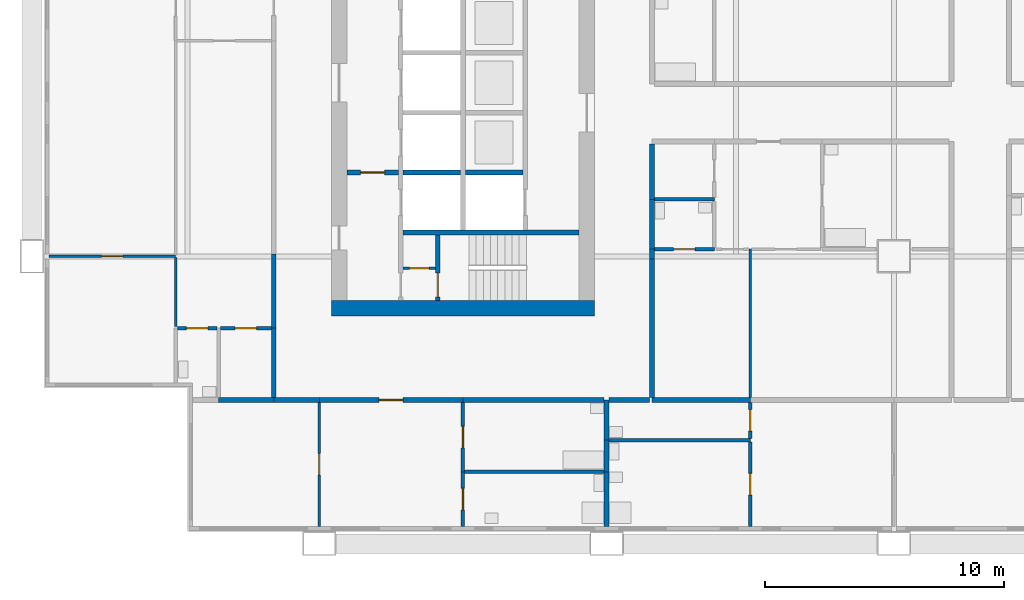
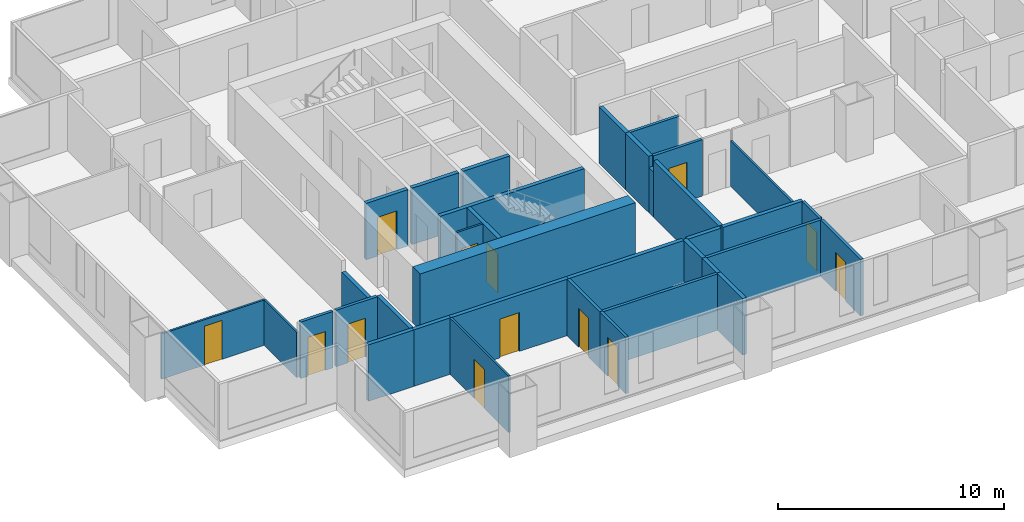
# One storey, part 2 of 13: 36 walls, 13 doors, 13 openings.
"""IFC4 building model written with IfcOpenShell, lengths in metres."""

from ifc_helpers import new_model, si_unit, direction, frame, frame_2d, origin, place, context, subcontext, project, spatial, rectangle, extrude, material, layer, layer_set, type_object, element, fill, save


model = new_model("IFC4")

# Units and contexts
model_context = context("Model", 3, precision=1e-05, world=origin(), true_north=direction((0.0, 1.0)))
body_context = subcontext(model_context, "Body", "Model", "MODEL_VIEW")
ifc_project = project(units=[si_unit("LENGTHUNIT", "METRE"), si_unit("AREAUNIT", "SQUARE_METRE"), si_unit("VOLUMEUNIT", "CUBIC_METRE"), si_unit("PLANEANGLEUNIT", "RADIAN"), si_unit("MASSUNIT", "GRAM", prefix="KILO")], contexts=[model_context])

# Site, building, storey
site_placement = place(None, origin())
site = spatial("IfcSite", under=ifc_project, at=site_placement, CompositionType="ELEMENT")
building_placement = place(site_placement, origin())
building = spatial("IfcBuilding", under=site, at=building_placement, Name="Kitamizu Gate Tower and Museum", CompositionType="ELEMENT")
storey_placement = place(building_placement, frame((0.0, 0.0, 144.89990234375)))
storey = spatial("IfcBuildingStorey", under=building, at=storey_placement, Name="L38", CompositionType="ELEMENT", Elevation=144.89990234375)

# Wall
ifc_material_1 = material(Name="Concrete Fc60", Category="concrete")
ifc_layer_1 = layer(ifc_material_1, 0.64990234375)
ifc_layer_set_1 = layer_set([ifc_layer_1], Name="Concrete Fc60")
wall_type_1 = type_object("IfcWallType", Name="Core wall 650", PredefinedType="SHEAR", material=ifc_layer_set_1)
wall_1_placement = place(storey_placement, frame((12.5, 21.824951171875, 0.0), z_axis=(0.0, 0.0, 1.0), x_axis=(1.0, 0.0, 0.0)))
element("IfcWall", 1, at=wall_1_placement, inside=storey, type_object=wall_type_1, Name="Core wall WS", PredefinedType="SHEAR", context=body_context, shape_type="SweptSolid", body=[
    extrude(rectangle(XDim=11.0, YDim=0.64990234375, at=frame_2d((5.5, 0.0))), origin(), (0.0, 0.0, 1.0), 3.050048828125),
])

# Wall, opening, door
ifc_material_2 = material(Name="Gypsum board on galvanised stud")
ifc_layer_2 = layer(ifc_material_2, 0.10009765625)
ifc_layer_set_2 = layer_set([ifc_layer_2], Name="Gypsum board on galvanised stud")
wall_type_2 = type_object("IfcWallType", Name="Partition 100", PredefinedType="PARTITIONING", material=ifc_layer_set_2)
wall_2_placement = place(storey_placement, frame((15.5, 23.5, 0.0), z_axis=(0.0, 0.0, 1.0), x_axis=(1.0, 0.0, 0.0)))
wall_2 = element("IfcWall", 2, at=wall_2_placement, inside=storey, type_object=wall_type_2, Name="Partition WPZS", PredefinedType="PARTITIONING", context=body_context, shape_type="SweptSolid", body=[
    extrude(rectangle(XDim=1.35009765625, YDim=0.10009765625, at=frame_2d((0.675048828125, 0.0))), origin(), (0.0, 0.0, 1.0), 3.050048828125),
])
opening_1_placement = place(wall_2_placement, frame((0.27490234375, 0.0, 0.0)))
opening_1 = element("IfcOpeningElement", 3, at=opening_1_placement, cuts=wall_2, Name="Opening L38-060", PredefinedType="OPENING", context=body_context, shape_type="SweptSolid", body=[
    extrude(rectangle(XDim=0.800048828125, YDim=2.10009765625, at=frame_2d((0.39990234375, 1.050048828125))), frame((0.0, 0.06005859375, 0.0), z_axis=(0.0, -1.0, 0.0), x_axis=(1.0, 0.0, 0.0)), (0.0, 0.0, 1.0), 0.1201171875),
])
ifc_material_3 = material(Name="Timber door set", Category="wood")
door_type_1 = type_object("IfcDoorType", Name="Cupboard door 800", OperationType="NOTDEFINED", PredefinedType="DOOR", material=ifc_material_3)
door_1_placement = place(opening_1_placement, frame((0.800048828125, 0.0, 0.0), x_axis=(-1.0, 0.0, 0.0)))
door_1 = element("IfcDoor", 4, at=door_1_placement, inside=storey, type_object=door_type_1, Name="Cupboard door L38-060", OperationType="SINGLE_SWING_LEFT", OverallHeight=2.10009765625, OverallWidth=0.800048828125, PredefinedType="DOOR", context=body_context, shape_type="SweptSolid", body=[
    extrude(rectangle(XDim=0.800048828125, YDim=2.10009765625, at=frame_2d((0.39990234375, 1.050048828125))), frame((0.0, 0.02490234375, 0.0), z_axis=(0.0, -1.0, 0.0), x_axis=(1.0, 0.0, 0.0)), (0.0, 0.0, 1.0), 0.050048828125),
])
fill(opening_1, door_1)

ifc_material_4 = material(Name="Gypsum board on galvanised stud")
ifc_layer_3 = layer(ifc_material_4, 0.10009765625)
ifc_layer_set_3 = layer_set([ifc_layer_3], Name="Gypsum board on galvanised stud")
wall_type_3 = type_object("IfcWallType", Name="Partition 100 NOT RATED", PredefinedType="PARTITIONING", material=ifc_layer_set_3)
wall_3_placement = place(storey_placement, frame((12.0, 12.719970703125, 0.0), z_axis=(0.0, 0.0, 1.0), x_axis=(0.0, 1.0, 0.0)))
wall_3 = element("IfcWall", 5, at=wall_3_placement, inside=storey, type_object=wall_type_3, Name="Partition L38-001", PredefinedType="PARTITIONING", context=body_context, shape_type="SweptSolid", body=[
    extrude(rectangle(XDim=5.179931640625, YDim=0.10009765625, at=frame_2d((2.58984375, 0.0))), origin(), (0.0, 0.0, 1.0), 3.050048828125),
])
opening_2_placement = place(wall_3_placement, frame((2.139892578125, 0.0, 0.0)))
opening_2 = element("IfcOpeningElement", 6, at=opening_2_placement, cuts=wall_3, Name="Opening L38-002", PredefinedType="OPENING", context=body_context, shape_type="SweptSolid", body=[
    extrude(rectangle(XDim=0.89990234375, YDim=2.10009765625, at=frame_2d((0.449951171875, 1.050048828125))), frame((0.0, 0.06005859375, 0.0), z_axis=(0.0, -1.0, 0.0), x_axis=(1.0, 0.0, 0.0)), (0.0, 0.0, 1.0), 0.1201171875),
])
ifc_material_5 = material(Name="Timber door set", Category="wood")
door_type_2 = type_object("IfcDoorType", Name="Room door 900", OperationType="NOTDEFINED", PredefinedType="DOOR", material=ifc_material_5)
door_2_placement = place(opening_2_placement, origin())
door_2 = element("IfcDoor", 7, at=door_2_placement, inside=storey, type_object=door_type_2, Name="Door L38-002", OperationType="SINGLE_SWING_LEFT", OverallHeight=2.10009765625, OverallWidth=0.89990234375, PredefinedType="DOOR", context=body_context, shape_type="SweptSolid", body=[
    extrude(rectangle(XDim=0.89990234375, YDim=2.10009765625, at=frame_2d((0.449951171875, 1.050048828125))), frame((0.0, 0.02490234375, 0.0), z_axis=(0.0, -1.0, 0.0), x_axis=(1.0, 0.0, 0.0)), (0.0, 0.0, 1.0), 0.050048828125),
])
fill(opening_2, door_2)

wall_4_placement = place(storey_placement, frame((6.0, 24.0, 0.0), z_axis=(0.0, 0.0, 1.0), x_axis=(-1.0, 0.0, 0.0)))
wall_4 = element("IfcWall", 8, at=wall_4_placement, inside=storey, type_object=wall_type_3, Name="Partition L38-013", PredefinedType="PARTITIONING", context=body_context, shape_type="SweptSolid", body=[
    extrude(rectangle(XDim=5.280029296875, YDim=0.10009765625, at=frame_2d((2.64013671875, 0.0))), origin(), (0.0, 0.0, 1.0), 2.4501953125),
])
opening_3_placement = place(wall_4_placement, frame((2.18994140625, 0.0, 0.0)))
opening_3 = element("IfcOpeningElement", 9, at=opening_3_placement, cuts=wall_4, Name="Opening L38-009", PredefinedType="OPENING", context=body_context, shape_type="SweptSolid", body=[
    extrude(rectangle(XDim=0.89990234375, YDim=2.10009765625, at=frame_2d((0.449951171875, 1.050048828125))), frame((0.0, 0.06005859375, 0.0), z_axis=(0.0, -1.0, 0.0), x_axis=(1.0, 0.0, 0.0)), (0.0, 0.0, 1.0), 0.1201171875),
])
door_3_placement = place(opening_3_placement, origin())
door_3 = element("IfcDoor", 10, at=door_3_placement, inside=storey, type_object=door_type_2, Name="Door L38-009", OperationType="SINGLE_SWING_LEFT", OverallHeight=2.10009765625, OverallWidth=0.89990234375, PredefinedType="DOOR", context=body_context, shape_type="SweptSolid", body=[
    extrude(rectangle(XDim=0.89990234375, YDim=2.10009765625, at=frame_2d((0.449951171875, 1.050048828125))), frame((0.0, 0.02490234375, 0.0), z_axis=(0.0, -1.0, 0.0), x_axis=(1.0, 0.0, 0.0)), (0.0, 0.0, 1.0), 0.050048828125),
])
fill(opening_3, door_3)

# Walls
wall_5_placement = place(storey_placement, frame((6.0, 21.074951171875, 0.0), z_axis=(0.0, 0.0, 1.0), x_axis=(0.0, 1.0, 0.0)))
element("IfcWall", 11, at=wall_5_placement, inside=storey, type_object=wall_type_3, Name="Partition L38-015", PredefinedType="PARTITIONING", context=body_context, shape_type="SweptSolid", body=[
    extrude(rectangle(XDim=2.875, YDim=0.10009765625, at=frame_2d((1.4375, 0.0))), origin(), (0.0, 0.0, 1.0), 2.4501953125),
])
wall_6_placement = place(storey_placement, frame((30.0, 18.10009765625, 0.0), z_axis=(0.0, 0.0, 1.0), x_axis=(0.0, 1.0, 0.0)))
element("IfcWall", 12, at=wall_6_placement, inside=storey, type_object=wall_type_3, Name="Partition L38-033", PredefinedType="PARTITIONING", context=body_context, shape_type="SweptSolid", body=[
    extrude(rectangle(XDim=6.199951171875, YDim=0.10009765625, at=frame_2d((3.10009765625, 0.0))), origin(), (0.0, 0.0, 1.0), 2.4501953125),
])

# Wall, opening, door
ifc_material_6 = material(Name="Gypsum board on galvanised stud")
ifc_layer_4 = layer(ifc_material_6, 0.14990234375)
ifc_layer_set_4 = layer_set([ifc_layer_4], Name="Gypsum board on galvanised stud")
wall_type_4 = type_object("IfcWallType", Name="Partition 150", PredefinedType="PARTITIONING", material=ifc_layer_set_4)
wall_7_placement = place(storey_placement, frame((18.0, 12.719970703125, 0.0), z_axis=(0.0, 0.0, 1.0), x_axis=(0.0, 1.0, 0.0)))
wall_7 = element("IfcWall", 13, at=wall_7_placement, inside=storey, type_object=wall_type_4, Name="Partition L38-005", PredefinedType="PARTITIONING", context=body_context, shape_type="SweptSolid", body=[
    extrude(rectangle(XDim=2.280029296875, YDim=0.14990234375, at=frame_2d((1.14013671875, 0.0))), origin(), (0.0, 0.0, 1.0), 3.050048828125),
])
opening_4_placement = place(wall_7_placement, frame((0.68994140625, 0.0, 0.0)))
opening_4 = element("IfcOpeningElement", 14, at=opening_4_placement, cuts=wall_7, Name="Opening L38-003", PredefinedType="OPENING", context=body_context, shape_type="SweptSolid", body=[
    extrude(rectangle(XDim=0.89990234375, YDim=2.10009765625, at=frame_2d((0.449951171875, 1.050048828125))), frame((0.0, 0.0849609375, 0.0), z_axis=(0.0, -1.0, 0.0), x_axis=(1.0, 0.0, 0.0)), (0.0, 0.0, 1.0), 0.169921875),
])
ifc_material_7 = material(Name="Timber door set", Category="wood")
door_type_3 = type_object("IfcDoorType", Name="Bathroom door 900", OperationType="NOTDEFINED", PredefinedType="DOOR", material=ifc_material_7)
door_4_placement = place(opening_4_placement, frame((0.89990234375, 0.0, 0.0), x_axis=(-1.0, 0.0, 0.0)))
door_4 = element("IfcDoor", 15, at=door_4_placement, inside=storey, type_object=door_type_3, Name="Bathroom door L38-003", OperationType="SINGLE_SWING_LEFT", OverallHeight=2.10009765625, OverallWidth=0.89990234375, PredefinedType="DOOR", context=body_context, shape_type="SweptSolid", body=[
    extrude(rectangle(XDim=0.89990234375, YDim=2.10009765625, at=frame_2d((0.449951171875, 1.050048828125))), frame((0.0, 0.02490234375, 0.0), z_axis=(0.0, -1.0, 0.0), x_axis=(1.0, 0.0, 0.0)), (0.0, 0.0, 1.0), 0.050048828125),
])
fill(opening_4, door_4)

wall_8_placement = place(storey_placement, frame((18.0, 15.0, 0.0), z_axis=(0.0, 0.0, 1.0), x_axis=(0.0, 1.0, 0.0)))
wall_8 = element("IfcWall", 16, at=wall_8_placement, inside=storey, type_object=wall_type_4, Name="Partition L38-006", PredefinedType="PARTITIONING", context=body_context, shape_type="SweptSolid", body=[
    extrude(rectangle(XDim=2.89990234375, YDim=0.14990234375, at=frame_2d((1.449951171875, 0.0))), origin(), (0.0, 0.0, 1.0), 3.050048828125),
])
opening_5_placement = place(wall_8_placement, frame((1.0, 0.0, 0.0)))
opening_5 = element("IfcOpeningElement", 17, at=opening_5_placement, cuts=wall_8, Name="Opening L38-004", PredefinedType="OPENING", context=body_context, shape_type="SweptSolid", body=[
    extrude(rectangle(XDim=0.89990234375, YDim=2.10009765625, at=frame_2d((0.449951171875, 1.050048828125))), frame((0.0, 0.0849609375, 0.0), z_axis=(0.0, -1.0, 0.0), x_axis=(1.0, 0.0, 0.0)), (0.0, 0.0, 1.0), 0.169921875),
])
door_5_placement = place(opening_5_placement, frame((0.89990234375, 0.0, 0.0), x_axis=(-1.0, 0.0, 0.0)))
door_5 = element("IfcDoor", 18, at=door_5_placement, inside=storey, type_object=door_type_3, Name="Bathroom door L38-004", OperationType="SINGLE_SWING_RIGHT", OverallHeight=2.10009765625, OverallWidth=0.89990234375, PredefinedType="DOOR", context=body_context, shape_type="SweptSolid", body=[
    extrude(rectangle(XDim=0.89990234375, YDim=2.10009765625, at=frame_2d((0.449951171875, 1.050048828125))), frame((0.0, 0.02490234375, 0.0), z_axis=(0.0, -1.0, 0.0), x_axis=(1.0, 0.0, 0.0)), (0.0, 0.0, 1.0), 0.050048828125),
])
fill(opening_5, door_5)

# Wall
wall_9_placement = place(storey_placement, frame((23.89990234375, 15.0, 0.0), z_axis=(0.0, 0.0, 1.0), x_axis=(-1.0, 0.0, 0.0)))
element("IfcWall", 19, at=wall_9_placement, inside=storey, type_object=wall_type_4, Name="Partition L38-008", PredefinedType="PARTITIONING", context=body_context, shape_type="SweptSolid", body=[
    extrude(rectangle(XDim=5.824951171875, YDim=0.14990234375, at=frame_2d((2.91259765625, 0.0))), origin(), (0.0, 0.0, 1.0), 3.050048828125),
])

# Wall, opening, door
wall_10_placement = place(storey_placement, frame((7.72509765625, 21.0, 0.0), z_axis=(0.0, 0.0, 1.0), x_axis=(-1.0, 0.0, 0.0)))
wall_10 = element("IfcWall", 20, at=wall_10_placement, inside=storey, type_object=wall_type_4, Name="Partition L38-022", PredefinedType="PARTITIONING", context=body_context, shape_type="SweptSolid", body=[
    extrude(rectangle(XDim=1.650146484375, YDim=0.14990234375, at=frame_2d((0.8251953125, 0.0))), origin(), (0.0, 0.0, 1.0), 3.050048828125),
])
opening_6_placement = place(wall_10_placement, frame((0.375, 0.0, 0.0)))
opening_6 = element("IfcOpeningElement", 21, at=opening_6_placement, cuts=wall_10, Name="Opening L38-010", PredefinedType="OPENING", context=body_context, shape_type="SweptSolid", body=[
    extrude(rectangle(XDim=0.89990234375, YDim=2.10009765625, at=frame_2d((0.449951171875, 1.050048828125))), frame((0.0, 0.0849609375, 0.0), z_axis=(0.0, -1.0, 0.0), x_axis=(1.0, 0.0, 0.0)), (0.0, 0.0, 1.0), 0.169921875),
])
door_6_placement = place(opening_6_placement, origin())
door_6 = element("IfcDoor", 22, at=door_6_placement, inside=storey, type_object=door_type_3, Name="Bathroom door L38-010", OperationType="SINGLE_SWING_RIGHT", OverallHeight=2.10009765625, OverallWidth=0.89990234375, PredefinedType="DOOR", context=body_context, shape_type="SweptSolid", body=[
    extrude(rectangle(XDim=0.89990234375, YDim=2.10009765625, at=frame_2d((0.449951171875, 1.050048828125))), frame((0.0, 0.02490234375, 0.0), z_axis=(0.0, -1.0, 0.0), x_axis=(1.0, 0.0, 0.0)), (0.0, 0.0, 1.0), 0.050048828125),
])
fill(opening_6, door_6)

wall_11_placement = place(storey_placement, frame((10.0, 21.0, 0.0), z_axis=(0.0, 0.0, 1.0), x_axis=(-1.0, 0.0, 0.0)))
wall_11 = element("IfcWall", 23, at=wall_11_placement, inside=storey, type_object=wall_type_4, Name="Partition L38-023", PredefinedType="PARTITIONING", context=body_context, shape_type="SweptSolid", body=[
    extrude(rectangle(XDim=2.125, YDim=0.14990234375, at=frame_2d((1.0625, 0.0))), origin(), (0.0, 0.0, 1.0), 3.050048828125),
])
opening_7_placement = place(wall_11_placement, frame((0.612548828125, 0.0, 0.0)))
opening_7 = element("IfcOpeningElement", 24, at=opening_7_placement, cuts=wall_11, Name="Opening L38-011", PredefinedType="OPENING", context=body_context, shape_type="SweptSolid", body=[
    extrude(rectangle(XDim=0.89990234375, YDim=2.10009765625, at=frame_2d((0.449951171875, 1.050048828125))), frame((0.0, 0.0849609375, 0.0), z_axis=(0.0, -1.0, 0.0), x_axis=(1.0, 0.0, 0.0)), (0.0, 0.0, 1.0), 0.169921875),
])
door_7_placement = place(opening_7_placement, origin())
door_7 = element("IfcDoor", 25, at=door_7_placement, inside=storey, type_object=door_type_3, Name="Bathroom door L38-011", OperationType="SINGLE_SWING_LEFT", OverallHeight=2.10009765625, OverallWidth=0.89990234375, PredefinedType="DOOR", context=body_context, shape_type="SweptSolid", body=[
    extrude(rectangle(XDim=0.89990234375, YDim=2.10009765625, at=frame_2d((0.449951171875, 1.050048828125))), frame((0.0, 0.02490234375, 0.0), z_axis=(0.0, -1.0, 0.0), x_axis=(1.0, 0.0, 0.0)), (0.0, 0.0, 1.0), 0.050048828125),
])
fill(opening_7, door_7)

wall_12_placement = place(storey_placement, frame((28.5, 24.300048828125, 0.0), z_axis=(0.0, 0.0, 1.0), x_axis=(-1.0, 0.0, 0.0)))
wall_12 = element("IfcWall", 26, at=wall_12_placement, inside=storey, type_object=wall_type_4, Name="Partition L38-034", PredefinedType="PARTITIONING", context=body_context, shape_type="SweptSolid", body=[
    extrude(rectangle(XDim=2.5, YDim=0.14990234375, at=frame_2d((1.25, 0.0))), origin(), (0.0, 0.0, 1.0), 3.050048828125),
])
opening_8_placement = place(wall_12_placement, frame((0.800048828125, 0.0, 0.0)))
opening_8 = element("IfcOpeningElement", 27, at=opening_8_placement, cuts=wall_12, Name="Opening L38-016", PredefinedType="OPENING", context=body_context, shape_type="SweptSolid", body=[
    extrude(rectangle(XDim=0.89990234375, YDim=2.10009765625, at=frame_2d((0.449951171875, 1.050048828125))), frame((0.0, 0.0849609375, 0.0), z_axis=(0.0, -1.0, 0.0), x_axis=(1.0, 0.0, 0.0)), (0.0, 0.0, 1.0), 0.169921875),
])
door_8_placement = place(opening_8_placement, frame((0.89990234375, 0.0, 0.0), x_axis=(-1.0, 0.0, 0.0)))
door_8 = element("IfcDoor", 28, at=door_8_placement, inside=storey, type_object=door_type_3, Name="Bathroom door L38-016", OperationType="SINGLE_SWING_LEFT", OverallHeight=2.10009765625, OverallWidth=0.89990234375, PredefinedType="DOOR", context=body_context, shape_type="SweptSolid", body=[
    extrude(rectangle(XDim=0.89990234375, YDim=2.10009765625, at=frame_2d((0.449951171875, 1.050048828125))), frame((0.0, 0.02490234375, 0.0), z_axis=(0.0, -1.0, 0.0), x_axis=(1.0, 0.0, 0.0)), (0.0, 0.0, 1.0), 0.050048828125),
])
fill(opening_8, door_8)

# Walls
wall_13_placement = place(storey_placement, frame((28.5, 26.376953125, 0.0), z_axis=(0.0, 0.0, 1.0), x_axis=(-1.0, 0.0, 0.0)))
element("IfcWall", 29, at=wall_13_placement, inside=storey, type_object=wall_type_4, Name="Partition L38-045", PredefinedType="PARTITIONING", context=body_context, shape_type="SweptSolid", body=[
    extrude(rectangle(XDim=2.5, YDim=0.14990234375, at=frame_2d((1.25, 0.0))), origin(), (0.0, 0.0, 1.0), 3.050048828125),
])
wall_14_placement = place(storey_placement, frame((30.0, 16.320068359375, 0.0), z_axis=(0.0, 0.0, 1.0), x_axis=(-1.0, 0.0, 0.0)))
element("IfcWall", 30, at=wall_14_placement, inside=storey, type_object=wall_type_4, Name="Partition L38-056", PredefinedType="PARTITIONING", context=body_context, shape_type="SweptSolid", body=[
    extrude(rectangle(XDim=5.89990234375, YDim=0.14990234375, at=frame_2d((2.949951171875, 0.0))), origin(), (0.0, 0.0, 1.0), 3.050048828125),
])

# Wall, opening, door
wall_15_placement = place(storey_placement, frame((30.0, 12.719970703125, 0.0), z_axis=(0.0, 0.0, 1.0), x_axis=(0.0, 1.0, 0.0)))
wall_15 = element("IfcWall", 31, at=wall_15_placement, inside=storey, type_object=wall_type_4, Name="Partition L38-057", PredefinedType="PARTITIONING", context=body_context, shape_type="SweptSolid", body=[
    extrude(rectangle(XDim=3.525146484375, YDim=0.14990234375, at=frame_2d((1.7626953125, 0.0))), origin(), (0.0, 0.0, 1.0), 3.050048828125),
])
opening_9_placement = place(wall_15_placement, frame((1.3125, 0.0, 0.0)))
opening_9 = element("IfcOpeningElement", 32, at=opening_9_placement, cuts=wall_15, Name="Opening L38-022", PredefinedType="OPENING", context=body_context, shape_type="SweptSolid", body=[
    extrude(rectangle(XDim=0.89990234375, YDim=2.10009765625, at=frame_2d((0.449951171875, 1.050048828125))), frame((0.0, 0.0849609375, 0.0), z_axis=(0.0, -1.0, 0.0), x_axis=(1.0, 0.0, 0.0)), (0.0, 0.0, 1.0), 0.169921875),
])
door_9_placement = place(opening_9_placement, origin())
door_9 = element("IfcDoor", 33, at=door_9_placement, inside=storey, type_object=door_type_3, Name="Bathroom door L38-022", OperationType="SINGLE_SWING_RIGHT", OverallHeight=2.10009765625, OverallWidth=0.89990234375, PredefinedType="DOOR", context=body_context, shape_type="SweptSolid", body=[
    extrude(rectangle(XDim=0.89990234375, YDim=2.10009765625, at=frame_2d((0.449951171875, 1.050048828125))), frame((0.0, 0.02490234375, 0.0), z_axis=(0.0, -1.0, 0.0), x_axis=(1.0, 0.0, 0.0)), (0.0, 0.0, 1.0), 0.050048828125),
])
fill(opening_9, door_9)

wall_16_placement = place(storey_placement, frame((30.0, 16.39501953125, 0.0), z_axis=(0.0, 0.0, 1.0), x_axis=(0.0, 1.0, 0.0)))
wall_16 = element("IfcWall", 34, at=wall_16_placement, inside=storey, type_object=wall_type_4, Name="Partition L38-058", PredefinedType="PARTITIONING", context=body_context, shape_type="SweptSolid", body=[
    extrude(rectangle(XDim=1.5048828125, YDim=0.14990234375, at=frame_2d((0.75244140625, 0.0))), origin(), (0.0, 0.0, 1.0), 3.050048828125),
])
opening_10_placement = place(wall_16_placement, frame((0.302490234375, 0.0, 0.0)))
opening_10 = element("IfcOpeningElement", 35, at=opening_10_placement, cuts=wall_16, Name="Opening L38-023", PredefinedType="OPENING", context=body_context, shape_type="SweptSolid", body=[
    extrude(rectangle(XDim=0.89990234375, YDim=2.10009765625, at=frame_2d((0.449951171875, 1.050048828125))), frame((0.0, 0.0849609375, 0.0), z_axis=(0.0, -1.0, 0.0), x_axis=(1.0, 0.0, 0.0)), (0.0, 0.0, 1.0), 0.169921875),
])
door_10_placement = place(opening_10_placement, origin())
door_10 = element("IfcDoor", 36, at=door_10_placement, inside=storey, type_object=door_type_3, Name="Bathroom door L38-023", OperationType="SINGLE_SWING_LEFT", OverallHeight=2.10009765625, OverallWidth=0.89990234375, PredefinedType="DOOR", context=body_context, shape_type="SweptSolid", body=[
    extrude(rectangle(XDim=0.89990234375, YDim=2.10009765625, at=frame_2d((0.449951171875, 1.050048828125))), frame((0.0, 0.02490234375, 0.0), z_axis=(0.0, -1.0, 0.0), x_axis=(1.0, 0.0, 0.0)), (0.0, 0.0, 1.0), 0.050048828125),
])
fill(opening_10, door_10)

# Walls
ifc_material_8 = material(Name="Gypsum board on galvanised stud")
ifc_layer_5 = layer(ifc_material_8, 0.199951171875)
ifc_layer_set_5 = layer_set([ifc_layer_5], Name="Gypsum board on galvanised stud")
wall_type_5 = type_object("IfcWallType", Name="Partition 200", PredefinedType="PARTITIONING", material=ifc_layer_set_5)
wall_17_placement = place(storey_placement, frame((10.10009765625, 18.0, 0.0), z_axis=(0.0, 0.0, 1.0), x_axis=(-1.0, 0.0, 0.0)))
element("IfcWall", 37, at=wall_17_placement, inside=storey, type_object=wall_type_5, Name="Partition L38-003", PredefinedType="PARTITIONING", context=body_context, shape_type="SweptSolid", body=[
    extrude(rectangle(XDim=2.300048828125, YDim=0.199951171875, at=frame_2d((1.14990234375, 0.0))), origin(), (0.0, 0.0, 1.0), 3.050048828125),
])
wall_18_placement = place(storey_placement, frame((12.0, 18.0, 0.0), z_axis=(0.0, 0.0, 1.0), x_axis=(-1.0, 0.0, 0.0)))
element("IfcWall", 38, at=wall_18_placement, inside=storey, type_object=wall_type_5, Name="Partition L38-004", PredefinedType="PARTITIONING", context=body_context, shape_type="SweptSolid", body=[
    extrude(rectangle(XDim=1.89990234375, YDim=0.199951171875, at=frame_2d((0.949951171875, 0.0))), origin(), (0.0, 0.0, 1.0), 3.050048828125),
])

# Wall, opening, door
wall_19_placement = place(storey_placement, frame((18.0, 18.0, 0.0), z_axis=(0.0, 0.0, 1.0), x_axis=(-1.0, 0.0, 0.0)))
wall_19 = element("IfcWall", 39, at=wall_19_placement, inside=storey, type_object=wall_type_5, Name="Partition L38-007", PredefinedType="PARTITIONING", context=body_context, shape_type="SweptSolid", body=[
    extrude(rectangle(XDim=6.0, YDim=0.199951171875, at=frame_2d((3.0, 0.0))), origin(), (0.0, 0.0, 1.0), 3.050048828125),
])
opening_11_placement = place(wall_19_placement, frame((2.5, 0.0, 0.0)))
opening_11 = element("IfcOpeningElement", 40, at=opening_11_placement, cuts=wall_19, Name="Opening L38-001", PredefinedType="OPENING", context=body_context, shape_type="SweptSolid", body=[
    extrude(rectangle(XDim=1.0, YDim=2.10009765625, at=frame_2d((0.5, 1.050048828125))), frame((0.0, 0.10986328125, 0.0), z_axis=(0.0, -1.0, 0.0), x_axis=(1.0, 0.0, 0.0)), (0.0, 0.0, 1.0), 0.219970703125),
])
ifc_material_9 = material(Name="Timber door set", Category="wood")
door_type_4 = type_object("IfcDoorType", Name="Flat entrance door 1000", OperationType="NOTDEFINED", PredefinedType="DOOR", material=ifc_material_9)
door_11_placement = place(opening_11_placement, origin())
door_11 = element("IfcDoor", 41, at=door_11_placement, inside=storey, type_object=door_type_4, Name="Flat entrance door L38-001", OperationType="SINGLE_SWING_RIGHT", OverallHeight=2.10009765625, OverallWidth=1.0, PredefinedType="DOOR", context=body_context, shape_type="SweptSolid", body=[
    extrude(rectangle(XDim=1.0, YDim=2.10009765625, at=frame_2d((0.5, 1.050048828125))), frame((0.0, 0.02490234375, 0.0), z_axis=(0.0, -1.0, 0.0), x_axis=(1.0, 0.0, 0.0)), (0.0, 0.0, 1.0), 0.050048828125),
])
fill(opening_11, door_11)

# Walls
wall_20_placement = place(storey_placement, frame((24.0, 12.719970703125, 0.0), z_axis=(0.0, 0.0, 1.0), x_axis=(0.0, 1.0, 0.0)))
element("IfcWall", 42, at=wall_20_placement, inside=storey, type_object=wall_type_5, Name="Partition L38-009", PredefinedType="PARTITIONING", context=body_context, shape_type="SweptSolid", body=[
    extrude(rectangle(XDim=2.280029296875, YDim=0.199951171875, at=frame_2d((1.14013671875, 0.0))), origin(), (0.0, 0.0, 1.0), 3.050048828125),
])
wall_21_placement = place(storey_placement, frame((24.0, 15.0, 0.0), z_axis=(0.0, 0.0, 1.0), x_axis=(0.0, 1.0, 0.0)))
element("IfcWall", 43, at=wall_21_placement, inside=storey, type_object=wall_type_5, Name="Partition L38-010", PredefinedType="PARTITIONING", context=body_context, shape_type="SweptSolid", body=[
    extrude(rectangle(XDim=1.320068359375, YDim=0.199951171875, at=frame_2d((0.66015625, 0.0))), origin(), (0.0, 0.0, 1.0), 3.050048828125),
])
wall_22_placement = place(storey_placement, frame((24.0, 16.320068359375, 0.0), z_axis=(0.0, 0.0, 1.0), x_axis=(0.0, 1.0, 0.0)))
element("IfcWall", 44, at=wall_22_placement, inside=storey, type_object=wall_type_5, Name="Partition L38-011", PredefinedType="PARTITIONING", context=body_context, shape_type="SweptSolid", body=[
    extrude(rectangle(XDim=1.679931640625, YDim=0.199951171875, at=frame_2d((0.83984375, 0.0))), origin(), (0.0, 0.0, 1.0), 3.050048828125),
])
wall_23_placement = place(storey_placement, frame((23.89990234375, 18.0, 0.0), z_axis=(0.0, 0.0, 1.0), x_axis=(-1.0, 0.0, 0.0)))
element("IfcWall", 45, at=wall_23_placement, inside=storey, type_object=wall_type_5, Name="Partition L38-012", PredefinedType="PARTITIONING", context=body_context, shape_type="SweptSolid", body=[
    extrude(rectangle(XDim=5.89990234375, YDim=0.199951171875, at=frame_2d((2.949951171875, 0.0))), origin(), (0.0, 0.0, 1.0), 3.050048828125),
])
wall_24_placement = place(storey_placement, frame((10.10009765625, 18.10009765625, 0.0), z_axis=(0.0, 0.0, 1.0), x_axis=(0.0, 1.0, 0.0)))
element("IfcWall", 46, at=wall_24_placement, inside=storey, type_object=wall_type_5, Name="Partition L38-024", PredefinedType="PARTITIONING", context=body_context, shape_type="SweptSolid", body=[
    extrude(rectangle(XDim=2.89990234375, YDim=0.199951171875, at=frame_2d((1.449951171875, 0.0))), origin(), (0.0, 0.0, 1.0), 3.050048828125),
])
wall_25_placement = place(storey_placement, frame((10.10009765625, 21.0, 0.0), z_axis=(0.0, 0.0, 1.0), x_axis=(0.0, 1.0, 0.0)))
element("IfcWall", 47, at=wall_25_placement, inside=storey, type_object=wall_type_5, Name="Partition L38-026", PredefinedType="PARTITIONING", context=body_context, shape_type="SweptSolid", body=[
    extrude(rectangle(XDim=3.10009765625, YDim=0.199951171875, at=frame_2d((1.550048828125, 0.0))), origin(), (0.0, 0.0, 1.0), 2.4501953125),
])
wall_26_placement = place(storey_placement, frame((25.89990234375, 18.0, 0.0), z_axis=(0.0, 0.0, 1.0), x_axis=(1.0, 0.0, 0.0)))
element("IfcWall", 48, at=wall_26_placement, inside=storey, type_object=wall_type_5, Name="Partition L38-036", PredefinedType="PARTITIONING", context=body_context, shape_type="SweptSolid", body=[
    extrude(rectangle(XDim=4.10009765625, YDim=0.199951171875, at=frame_2d((2.050048828125, 0.0))), origin(), (0.0, 0.0, 1.0), 3.050048828125),
])
wall_27_placement = place(storey_placement, frame((25.89990234375, 24.300048828125, 0.0), z_axis=(0.0, 0.0, 1.0), x_axis=(0.0, -1.0, 0.0)))
element("IfcWall", 49, at=wall_27_placement, inside=storey, type_object=wall_type_5, Name="Partition L38-037", PredefinedType="PARTITIONING", context=body_context, shape_type="SweptSolid", body=[
    extrude(rectangle(XDim=0.400146484375, YDim=0.199951171875, at=frame_2d((0.2001953125, 0.0))), origin(), (0.0, 0.0, 1.0), 2.4501953125),
])
wall_28_placement = place(storey_placement, frame((25.89990234375, 23.89990234375, 0.0), z_axis=(0.0, 0.0, 1.0), x_axis=(0.0, -1.0, 0.0)))
element("IfcWall", 50, at=wall_28_placement, inside=storey, type_object=wall_type_5, Name="Partition L38-038", PredefinedType="PARTITIONING", context=body_context, shape_type="SweptSolid", body=[
    extrude(rectangle(XDim=5.7998046875, YDim=0.199951171875, at=frame_2d((2.89990234375, 0.0))), origin(), (0.0, 0.0, 1.0), 3.050048828125),
])
wall_29_placement = place(storey_placement, frame((25.89990234375, 26.376953125, 0.0), z_axis=(0.0, 0.0, 1.0), x_axis=(0.0, -1.0, 0.0)))
element("IfcWall", 51, at=wall_29_placement, inside=storey, type_object=wall_type_5, Name="Partition L38-047", PredefinedType="PARTITIONING", context=body_context, shape_type="SweptSolid", body=[
    extrude(rectangle(XDim=2.076904296875, YDim=0.199951171875, at=frame_2d((1.03857421875, 0.0))), origin(), (0.0, 0.0, 1.0), 3.050048828125),
])
wall_30_placement = place(storey_placement, frame((25.89990234375, 28.699951171875, 0.0), z_axis=(0.0, 0.0, 1.0), x_axis=(0.0, -1.0, 0.0)))
element("IfcWall", 52, at=wall_30_placement, inside=storey, type_object=wall_type_5, Name="Partition L38-050", PredefinedType="PARTITIONING", context=body_context, shape_type="SweptSolid", body=[
    extrude(rectangle(XDim=2.322998046875, YDim=0.199951171875, at=frame_2d((1.16162109375, 0.0))), origin(), (0.0, 0.0, 1.0), 3.050048828125),
])
wall_31_placement = place(storey_placement, frame((25.800048828125, 18.0, 0.0), z_axis=(0.0, 0.0, 1.0), x_axis=(-1.0, 0.0, 0.0)))
element("IfcWall", 53, at=wall_31_placement, inside=storey, type_object=wall_type_5, Name="Partition L38-059", PredefinedType="PARTITIONING", context=body_context, shape_type="SweptSolid", body=[
    extrude(rectangle(XDim=1.699951171875, YDim=0.199951171875, at=frame_2d((0.85009765625, 0.0))), origin(), (0.0, 0.0, 1.0), 3.050048828125),
])
ifc_material_10 = material(Name="Concrete Fc42", Category="concrete")
ifc_layer_6 = layer(ifc_material_10, 0.199951171875)
ifc_layer_set_6 = layer_set([ifc_layer_6], Name="Concrete Fc42")
wall_type_6 = type_object("IfcWallType", Name="Shaft wall 200", PredefinedType="SOLIDWALL", material=ifc_layer_set_6)
wall_32_placement = place(storey_placement, frame((15.5, 25.0, 0.0), z_axis=(0.0, 0.0, 1.0), x_axis=(1.0, 0.0, 0.0)))
element("IfcWall", 54, at=wall_32_placement, inside=storey, type_object=wall_type_6, Name="Shaft wall WSB", PredefinedType="SOLIDWALL", context=body_context, shape_type="SweptSolid", body=[
    extrude(rectangle(XDim=7.35009765625, YDim=0.199951171875, at=frame_2d((3.675048828125, 0.0))), origin(), (0.0, 0.0, 1.0), 3.050048828125),
])

# Wall, opening, door
wall_33_placement = place(storey_placement, frame((13.14990234375, 27.5, 0.0), z_axis=(0.0, 0.0, 1.0), x_axis=(1.0, 0.0, 0.0)))
wall_33 = element("IfcWall", 55, at=wall_33_placement, inside=storey, type_object=wall_type_6, Name="Shaft wall WFFN", PredefinedType="SOLIDWALL", context=body_context, shape_type="SweptSolid", body=[
    extrude(rectangle(XDim=2.150146484375, YDim=0.199951171875, at=frame_2d((1.0751953125, 0.0))), origin(), (0.0, 0.0, 1.0), 3.050048828125),
])
opening_12_placement = place(wall_33_placement, frame((0.574951171875, 0.0, 0.0)))
opening_12 = element("IfcOpeningElement", 56, at=opening_12_placement, cuts=wall_33, Name="Opening L38-059", PredefinedType="OPENING", context=body_context, shape_type="SweptSolid", body=[
    extrude(rectangle(XDim=1.0, YDim=2.10009765625, at=frame_2d((0.5, 1.050048828125))), frame((0.0, 0.10986328125, 0.0), z_axis=(0.0, -1.0, 0.0), x_axis=(1.0, 0.0, 0.0)), (0.0, 0.0, 1.0), 0.219970703125),
])
ifc_material_11 = material(Name="Hollow metal door set")
door_type_5 = type_object("IfcDoorType", Name="Fire door 1000", OperationType="NOTDEFINED", PredefinedType="DOOR", material=ifc_material_11)
door_12_placement = place(opening_12_placement, frame((1.0, 0.0, 0.0), x_axis=(-1.0, 0.0, 0.0)))
door_12 = element("IfcDoor", 57, at=door_12_placement, inside=storey, type_object=door_type_5, Name="Fire-fighting lobby door L38-059", OperationType="SINGLE_SWING_RIGHT", OverallHeight=2.10009765625, OverallWidth=1.0, PredefinedType="DOOR", context=body_context, shape_type="SweptSolid", body=[
    extrude(rectangle(XDim=1.0, YDim=2.10009765625, at=frame_2d((0.5, 1.050048828125))), frame((0.0, 0.02490234375, 0.0), z_axis=(0.0, -1.0, 0.0), x_axis=(1.0, 0.0, 0.0)), (0.0, 0.0, 1.0), 0.050048828125),
])
fill(opening_12, door_12)

wall_34_placement = place(storey_placement, frame((16.949951171875, 22.14990234375, 0.0), z_axis=(0.0, 0.0, 1.0), x_axis=(0.0, 1.0, 0.0)))
wall_34 = element("IfcWall", 58, at=wall_34_placement, inside=storey, type_object=wall_type_6, Name="Shaft wall WSZ", PredefinedType="SOLIDWALL", context=body_context, shape_type="SweptSolid", body=[
    extrude(rectangle(XDim=2.75, YDim=0.199951171875, at=frame_2d((1.375, 0.0))), origin(), (0.0, 0.0, 1.0), 3.050048828125),
])
opening_13_placement = place(wall_34_placement, frame((0.14990234375, 0.0, 0.0)))
opening_13 = element("IfcOpeningElement", 59, at=opening_13_placement, cuts=wall_34, Name="Opening L38-055", PredefinedType="OPENING", context=body_context, shape_type="SweptSolid", body=[
    extrude(rectangle(XDim=1.0, YDim=2.10009765625, at=frame_2d((0.5, 1.050048828125))), frame((0.0, 0.10986328125, 0.0), z_axis=(0.0, -1.0, 0.0), x_axis=(1.0, 0.0, 0.0)), (0.0, 0.0, 1.0), 0.219970703125),
])
door_13_placement = place(opening_13_placement, frame((1.0, 0.0, 0.0), x_axis=(-1.0, 0.0, 0.0)))
door_13 = element("IfcDoor", 60, at=door_13_placement, inside=storey, type_object=door_type_5, Name="Stair door L38-055", OperationType="SINGLE_SWING_LEFT", OverallHeight=2.10009765625, OverallWidth=1.0, PredefinedType="DOOR", context=body_context, shape_type="SweptSolid", body=[
    extrude(rectangle(XDim=1.0, YDim=2.10009765625, at=frame_2d((0.5, 1.050048828125))), frame((0.0, 0.02490234375, 0.0), z_axis=(0.0, -1.0, 0.0), x_axis=(1.0, 0.0, 0.0)), (0.0, 0.0, 1.0), 0.050048828125),
])
fill(opening_13, door_13)

# Walls
for number, where, z_axis, x_axis, name in (
    (61, (15.5, 27.5, 0.0), (0.0, 0.0, 1.0), (1.0, 0.0, 0.0), "Shaft wall WDVW0"),
    (62, (18.10009765625, 27.5, 0.0), (0.0, 0.0, 1.0), (1.0, 0.0, 0.0), "Shaft wall WDVE0"),
):
    element("IfcWall", number, at=place(storey_placement, frame(where, z_axis=z_axis, x_axis=x_axis)), inside=storey, type_object=wall_type_6, Name=name, PredefinedType="SOLIDWALL", context=body_context, shape_type="SweptSolid", body=[
        extrude(rectangle(XDim=2.39990234375, YDim=0.199951171875, at=frame_2d((1.199951171875, 0.0))), origin(), (0.0, 0.0, 1.0), 3.050048828125),
    ])

save(model, "model.ifc")
